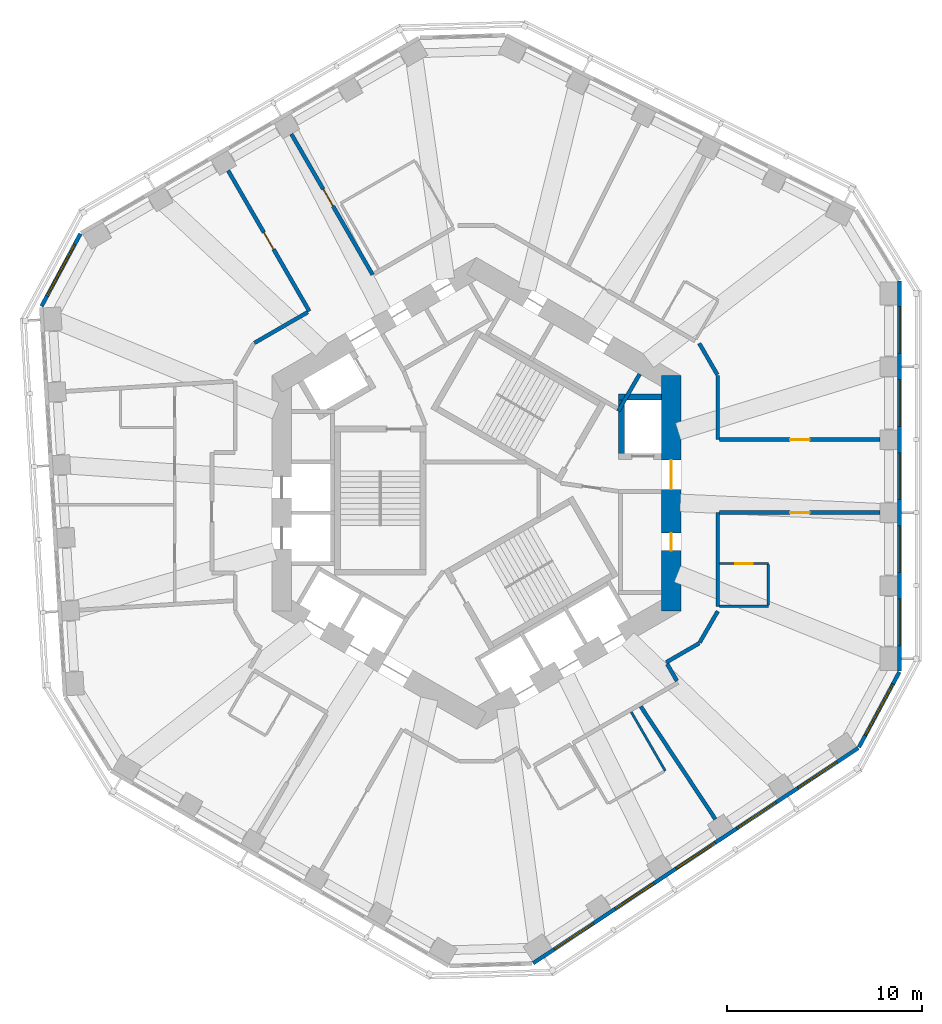
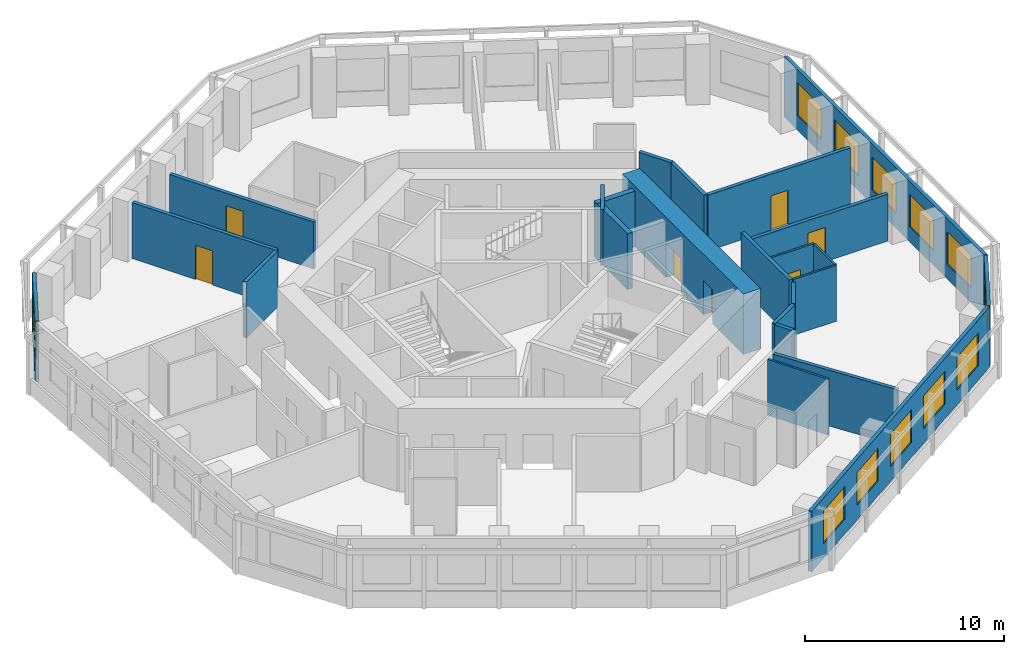
# One storey, part 6 of 11: 24 walls, 12 windows, 7 doors, 19 openings.
"""IFC4 building model written with IfcOpenShell, lengths in metres."""

from ifc_helpers import new_model, si_unit, direction, frame, frame_2d, origin, place, context, subcontext, project, spatial, rectangle, extrude, material, layer, layer_set, type_object, element, fill, save


model = new_model("IFC4")

# Units and contexts
model_context = context("Model", 3, precision=1e-05, world=origin(), true_north=direction((0.0, 1.0)))
body_context = subcontext(model_context, "Body", "Model", "MODEL_VIEW")
ifc_project = project(units=[si_unit("LENGTHUNIT", "METRE"), si_unit("AREAUNIT", "SQUARE_METRE"), si_unit("VOLUMEUNIT", "CUBIC_METRE"), si_unit("PLANEANGLEUNIT", "RADIAN"), si_unit("MASSUNIT", "GRAM", prefix="KILO")], contexts=[model_context])

# Site, building, storey
site_placement = place(None, origin())
site = spatial("IfcSite", under=ifc_project, at=site_placement, CompositionType="ELEMENT")
building_placement = place(site_placement, origin())
building = spatial("IfcBuilding", under=site, at=building_placement, Name="Vanh Sen Convention Tower", CompositionType="ELEMENT")
storey_placement = place(building_placement, frame((0.0, 0.0, 154.0)))
storey = spatial("IfcBuildingStorey", under=building, at=storey_placement, Name="L37", CompositionType="ELEMENT", Elevation=154.0)

# Wall
ifc_material_1 = material(Name="Moisture-resistant gypsum board on steel studs", Category="steel")
ifc_layer_1 = layer(ifc_material_1, 0.1201171875)
ifc_layer_set_1 = layer_set([ifc_layer_1], Name="Moisture-resistant gypsum board on steel studs")
wall_type_1 = type_object("IfcWallType", Name="Bathroom partition 120", PredefinedType="PARTITIONING", material=ifc_layer_set_1)
wall_1_placement = place(storey_placement, frame((7.949462890625, -11.23095703125, 0.0), z_axis=(0.0, 0.0, 1.0), x_axis=(0.500010275428, -0.866019471182, 0.0)))
element("IfcWall", 1, at=wall_1_placement, inside=storey, type_object=wall_type_1, Name="Bathroom partition 120", PredefinedType="PARTITIONING", context=body_context, shape_type="SweptSolid", body=[
    extrude(rectangle(XDim=3.5, YDim=0.1201171875, at=frame_2d((1.75, 0.0))), origin(), (0.0, 0.0, 1.0), 3.419921875),
])

# Wall, opening, door
wall_2_placement = place(storey_placement, frame((12.5, -3.6123046875, 0.0), z_axis=(0.0, 0.0, 1.0), x_axis=(1.0, 0.0, 0.0)))
wall_2 = element("IfcWall", 2, at=wall_2_placement, inside=storey, type_object=wall_type_1, Name="Bathroom partition 120", PredefinedType="PARTITIONING", context=body_context, shape_type="SweptSolid", body=[
    extrude(rectangle(XDim=2.5, YDim=0.1201171875, at=frame_2d((1.25, 0.0))), origin(), (0.0, 0.0, 1.0), 3.419921875),
])
opening_1_placement = place(wall_2_placement, frame((0.800048828125, 0.0, 0.0)))
opening_1 = element("IfcOpeningElement", 3, at=opening_1_placement, cuts=wall_2, Name="Opening D35117", PredefinedType="OPENING", context=body_context, shape_type="SweptSolid", body=[
    extrude(rectangle(XDim=0.89990234375, YDim=2.10009765625, at=frame_2d((0.449951171875, 1.050048828125))), frame((0.0, 0.070068359375, 0.0), z_axis=(0.0, -1.0, 0.0), x_axis=(1.0, 0.0, 0.0)), (0.0, 0.0, 1.0), 0.14013671875),
])
ifc_material_2 = material(Name="Laminate door in steel frame", Category="steel")
door_type_1 = type_object("IfcDoorType", Name="Room internal door 900", OperationType="SINGLE_SWING_LEFT", PredefinedType="DOOR", material=ifc_material_2)
door_1_placement = place(opening_1_placement, origin())
door_1 = element("IfcDoor", 4, at=door_1_placement, inside=storey, type_object=door_type_1, Name="Internal room door D35117", OperationType="SINGLE_SWING_LEFT", OverallHeight=2.10009765625, OverallWidth=0.89990234375, PredefinedType="DOOR", context=body_context, shape_type="SweptSolid", body=[
    extrude(rectangle(XDim=0.89990234375, YDim=2.10009765625, at=frame_2d((0.449951171875, 1.050048828125))), frame((0.0, 0.02490234375, 0.0), z_axis=(0.0, -1.0, 0.0), x_axis=(1.0, 0.0, 0.0)), (0.0, 0.0, 1.0), 0.050048828125),
])
fill(opening_1, door_1)

# Walls
wall_3_placement = place(storey_placement, frame((15.0, -5.812255859375, 0.0), z_axis=(0.0, 0.0, 1.0), x_axis=(-1.0, 0.0, 0.0)))
element("IfcWall", 5, at=wall_3_placement, inside=storey, type_object=wall_type_1, Name="Bathroom partition 120", PredefinedType="PARTITIONING", context=body_context, shape_type="SweptSolid", body=[
    extrude(rectangle(XDim=2.5, YDim=0.1201171875, at=frame_2d((1.25, 0.0))), origin(), (0.0, 0.0, 1.0), 3.419921875),
])
wall_4_placement = place(storey_placement, frame((15.0, -3.672119140625, 0.0), z_axis=(0.0, 0.0, 1.0), x_axis=(0.0, -1.0, 0.0)))
element("IfcWall", 6, at=wall_4_placement, inside=storey, type_object=wall_type_1, Name="Bathroom partition 120", PredefinedType="PARTITIONING", context=body_context, shape_type="SweptSolid", body=[
    extrude(rectangle(XDim=2.080078125, YDim=0.1201171875, at=frame_2d((1.0400390625, 0.0))), origin(), (0.0, 0.0, 1.0), 3.419921875),
])

# Wall, openings, doors
ifc_material_3 = material(Name="Concrete C80/95", Category="concrete")
ifc_layer_2 = layer(ifc_material_3, 1.0)
ifc_layer_set_2 = layer_set([ifc_layer_2], Name="Concrete C80/95")
wall_type_2 = type_object("IfcWallType", Name="Core outer wall 1000 C80/95", PredefinedType="SHEAR", material=ifc_layer_set_2)
wall_5_placement = place(storey_placement, frame((10.0, -6.062255859375, 0.0), z_axis=(0.0, 0.0, 1.0), x_axis=(0.0, 1.0, 0.0)))
wall_5 = element("IfcWall", 7, at=wall_5_placement, inside=storey, type_object=wall_type_2, Name="Core wall face E L37", PredefinedType="SHEAR", context=body_context, shape_type="SweptSolid", body=[
    extrude(rectangle(XDim=12.12451171875, YDim=1.0, at=frame_2d((6.062255859375, 0.0))), origin(), (0.0, 0.0, 1.0), 3.699951171875),
])
opening_2_placement = place(wall_5_placement, frame((6.26220703125, 0.0, 0.0)))
opening_2 = element("IfcOpeningElement", 8, at=opening_2_placement, cuts=wall_5, Name="Opening D35001", PredefinedType="OPENING", context=body_context, shape_type="SweptSolid", body=[
    extrude(rectangle(XDim=1.5, YDim=2.10009765625, at=frame_2d((0.75, 1.050048828125))), frame((0.0, 0.510009765625, 0.0), z_axis=(0.0, -1.0, 0.0), x_axis=(1.0, 0.0, 0.0)), (0.0, 0.0, 1.0), 1.02001953125),
])
opening_3_placement = place(wall_5_placement, frame((3.1123046875, 0.0, 0.0)))
opening_3 = element("IfcOpeningElement", 9, at=opening_3_placement, cuts=wall_5, Name="Opening D35010", PredefinedType="OPENING", context=body_context, shape_type="SweptSolid", body=[
    extrude(rectangle(XDim=0.89990234375, YDim=2.10009765625, at=frame_2d((0.449951171875, 1.050048828125))), frame((0.0, 0.510009765625, 0.0), z_axis=(0.0, -1.0, 0.0), x_axis=(1.0, 0.0, 0.0)), (0.0, 0.0, 1.0), 1.02001953125),
])
ifc_material_4 = material(Name="Steel S355", Category="steel")
door_type_2 = type_object("IfcDoorType", Name="Plant door 900", OperationType="SINGLE_SWING_LEFT", PredefinedType="DOOR", material=ifc_material_4)
door_2_placement = place(opening_3_placement, origin())
door_2 = element("IfcDoor", 10, at=door_2_placement, inside=storey, type_object=door_type_2, Name="Plant door D35010", OperationType="SINGLE_SWING_LEFT", OverallHeight=2.10009765625, OverallWidth=0.89990234375, PredefinedType="DOOR", context=body_context, shape_type="SweptSolid", body=[
    extrude(rectangle(XDim=0.89990234375, YDim=2.10009765625, at=frame_2d((0.449951171875, 1.050048828125))), frame((0.0, 0.02490234375, 0.0), z_axis=(0.0, -1.0, 0.0), x_axis=(1.0, 0.0, 0.0)), (0.0, 0.0, 1.0), 0.050048828125),
])
fill(opening_3, door_2)
door_type_3 = type_object("IfcDoorType", Name="Stair lobby door 1500", OperationType="DOUBLE_DOOR_SINGLE_SWING", PredefinedType="DOOR", material=ifc_material_4)
door_3_placement = place(opening_2_placement, origin())
door_3 = element("IfcDoor", 11, at=door_3_placement, inside=storey, type_object=door_type_3, Name="Stair lobby door D35001", OperationType="DOUBLE_DOOR_SINGLE_SWING", OverallHeight=2.10009765625, OverallWidth=1.5, PredefinedType="DOOR", context=body_context, shape_type="SweptSolid", body=[
    extrude(rectangle(XDim=1.5, YDim=2.10009765625, at=frame_2d((0.75, 1.050048828125))), frame((0.0, 0.02490234375, 0.0), z_axis=(0.0, -1.0, 0.0), x_axis=(1.0, 0.0, 0.0)), (0.0, 0.0, 1.0), 0.050048828125),
])
fill(opening_2, door_3)

# Wall, opening, door
ifc_material_5 = material(Name="Gypsum board on steel studs with mineral wool", Category="steel")
ifc_layer_3 = layer(ifc_material_5, 0.199951171875)
ifc_layer_set_3 = layer_set([ifc_layer_3], Name="Gypsum board on steel studs with mineral wool")
wall_type_3 = type_object("IfcWallType", Name="Corridor partition wall 200", PredefinedType="PARTITIONING", material=ifc_layer_set_3)
wall_6_placement = place(storey_placement, frame((-12.766357421875, 16.58935546875, 0.0), z_axis=(0.0, 0.0, 1.0), x_axis=(0.500010139422, -0.866019549707, 0.0)))
wall_6 = element("IfcWall", 12, at=wall_6_placement, inside=storey, type_object=wall_type_3, Name="Corridor partition wall 200", PredefinedType="PARTITIONING", context=body_context, shape_type="SweptSolid", body=[
    extrude(rectangle(XDim=8.349853515625, YDim=0.199951171875, at=frame_2d((4.1748046875, 0.0))), origin(), (0.0, 0.0, 1.0), 3.419921875),
])
opening_4_placement = place(wall_6_placement, frame((3.675048828125, 0.0, 0.0)))
opening_4 = element("IfcOpeningElement", 13, at=opening_4_placement, cuts=wall_6, Name="Opening D35106", PredefinedType="OPENING", context=body_context, shape_type="SweptSolid", body=[
    extrude(rectangle(XDim=1.0, YDim=2.10009765625, at=frame_2d((0.5, 1.050048828125))), frame((0.0, 0.10986328125, 0.0), z_axis=(0.0, -1.0, 0.0), x_axis=(1.0, 0.0, 0.0)), (0.0, 0.0, 1.0), 0.219970703125),
])
ifc_material_6 = material(Name="Glazed fire door in steel frame", Category="steel")
door_type_4 = type_object("IfcDoorType", Name="Tenant entrance door 1000", OperationType="SINGLE_SWING_LEFT", PredefinedType="DOOR", material=ifc_material_6)
door_4_placement = place(opening_4_placement, origin())
door_4 = element("IfcDoor", 14, at=door_4_placement, inside=storey, type_object=door_type_4, Name="Tenant suite entrance door D35106", OperationType="SINGLE_SWING_LEFT", OverallHeight=2.10009765625, OverallWidth=1.0, PredefinedType="DOOR", context=body_context, shape_type="SweptSolid", body=[
    extrude(rectangle(XDim=1.0, YDim=2.10009765625, at=frame_2d((0.5, 1.050048828125))), frame((0.0, 0.02490234375, 0.0), z_axis=(0.0, -1.0, 0.0), x_axis=(1.0, 0.0, 0.0)), (0.0, 0.0, 1.0), 0.050048828125),
])
fill(opening_4, door_4)

wall_7_placement = place(storey_placement, frame((-9.51513671875, 18.46630859375, 0.0), z_axis=(0.0, 0.0, 1.0), x_axis=(0.500010139422, -0.866019549707, 0.0)))
wall_7 = element("IfcWall", 15, at=wall_7_placement, inside=storey, type_object=wall_type_3, Name="Corridor partition wall 200", PredefinedType="PARTITIONING", context=body_context, shape_type="SweptSolid", body=[
    extrude(rectangle(XDim=8.349853515625, YDim=0.199951171875, at=frame_2d((4.1748046875, 0.0))), origin(), (0.0, 0.0, 1.0), 2.8701171875),
])
opening_5_placement = place(wall_7_placement, frame((3.27490234375, 0.0, 0.0)))
opening_5 = element("IfcOpeningElement", 16, at=opening_5_placement, cuts=wall_7, Name="Opening D35104", PredefinedType="OPENING", context=body_context, shape_type="SweptSolid", body=[
    extrude(rectangle(XDim=1.0, YDim=2.10009765625, at=frame_2d((0.5, 1.050048828125))), frame((0.0, 0.10986328125, 0.0), z_axis=(0.0, -1.0, 0.0), x_axis=(1.0, 0.0, 0.0)), (0.0, 0.0, 1.0), 0.219970703125),
])
door_5_placement = place(opening_5_placement, origin())
door_5 = element("IfcDoor", 17, at=door_5_placement, inside=storey, type_object=door_type_4, Name="Tenant suite entrance door D35104", OperationType="SINGLE_SWING_LEFT", OverallHeight=2.10009765625, OverallWidth=1.0, PredefinedType="DOOR", context=body_context, shape_type="SweptSolid", body=[
    extrude(rectangle(XDim=1.0, YDim=2.10009765625, at=frame_2d((0.5, 1.050048828125))), frame((0.0, 0.02490234375, 0.0), z_axis=(0.0, -1.0, 0.0), x_axis=(1.0, 0.0, 0.0)), (0.0, 0.0, 1.0), 0.050048828125),
])
fill(opening_5, door_5)

# Walls
wall_8_placement = place(storey_placement, frame((-8.677978515625, 9.30810546875, 0.0), z_axis=(0.0, 0.0, 1.0), x_axis=(-0.866000359435, -0.500043375578, 0.0)))
element("IfcWall", 18, at=wall_8_placement, inside=storey, type_object=wall_type_3, Name="Corridor partition wall 200", PredefinedType="PARTITIONING", context=body_context, shape_type="SweptSolid", body=[
    extrude(rectangle(XDim=3.160888671875, YDim=0.199951171875, at=frame_2d((1.58056640625, 0.0))), origin(), (0.0, 0.0, 1.0), 3.419921875),
])
wall_9_placement = place(storey_placement, frame((9.751708984375, -8.688232421875, 0.0), z_axis=(0.0, 0.0, 1.0), x_axis=(0.865974105138, 0.500088841337, 0.0)))
element("IfcWall", 19, at=wall_9_placement, inside=storey, type_object=wall_type_3, Name="Corridor partition wall 200", PredefinedType="PARTITIONING", context=body_context, shape_type="SweptSolid", body=[
    extrude(rectangle(XDim=1.961181640625, YDim=0.199951171875, at=frame_2d((0.98046875, 0.0))), origin(), (0.0, 0.0, 1.0), 3.419921875),
])
wall_10_placement = place(storey_placement, frame((10.302001953125, -9.6416015625, 0.0), z_axis=(0.0, 0.0, 1.0), x_axis=(-0.500074377092, 0.865982457891, 0.0)))
element("IfcWall", 20, at=wall_10_placement, inside=storey, type_object=wall_type_3, Name="Corridor partition wall 200", PredefinedType="PARTITIONING", context=body_context, shape_type="SweptSolid", body=[
    extrude(rectangle(XDim=1.000732421875, YDim=0.199951171875, at=frame_2d((0.50048828125, 0.0))), origin(), (0.0, 0.0, 1.0), 3.419921875),
])
for number, where, z_axis, x_axis, name in (
    (21, (11.469970703125, -7.673095703125, 0.0), (0.0, 0.0, 1.0), (0.499964847546, 0.866045698112, 0.0), "Corridor partition wall 200"),
    (22, (12.3798828125, 6.0966796875, 0.0), (0.0, 0.0, 1.0), (-0.499964847546, 0.866045698112, 0.0), "Corridor partition wall 200"),
):
    element("IfcWall", number, at=place(storey_placement, frame(where, z_axis=z_axis, x_axis=x_axis)), inside=storey, type_object=wall_type_3, Name=name, PredefinedType="PARTITIONING", context=body_context, shape_type="SweptSolid", body=[
        extrude(rectangle(XDim=1.860107421875, YDim=0.199951171875, at=frame_2d((0.93017578125, 0.0))), origin(), (0.0, 0.0, 1.0), 3.419921875),
    ])
wall_11_placement = place(storey_placement, frame((12.39990234375, -5.812255859375, 0.0), z_axis=(0.0, 0.0, 1.0), x_axis=(0.0, 1.0, 0.0)))
element("IfcWall", 23, at=wall_11_placement, inside=storey, type_object=wall_type_3, Name="Corridor partition wall 200", PredefinedType="PARTITIONING", context=body_context, shape_type="SweptSolid", body=[
    extrude(rectangle(XDim=4.8193359375, YDim=0.199951171875, at=frame_2d((2.40966796875, 0.0))), origin(), (0.0, 0.0, 1.0), 3.419921875),
])
wall_12_placement = place(storey_placement, frame((12.39990234375, 2.76123046875, 0.0), z_axis=(0.0, 0.0, 1.0), x_axis=(0.0, 1.0, 0.0)))
element("IfcWall", 24, at=wall_12_placement, inside=storey, type_object=wall_type_3, Name="Corridor partition wall 200", PredefinedType="PARTITIONING", context=body_context, shape_type="SweptSolid", body=[
    extrude(rectangle(XDim=3.301025390625, YDim=0.199951171875, at=frame_2d((1.650390625, 0.0))), origin(), (0.0, 0.0, 1.0), 3.419921875),
])

# Wall, opening, door
wall_13_placement = place(storey_placement, frame((12.5, -0.992919921875, 0.0), z_axis=(0.0, 0.0, 1.0), x_axis=(1.0, 0.0, 0.0)))
wall_13 = element("IfcWall", 25, at=wall_13_placement, inside=storey, type_object=wall_type_3, Name="Corridor partition wall 200", PredefinedType="PARTITIONING", context=body_context, shape_type="SweptSolid", body=[
    extrude(rectangle(XDim=8.25, YDim=0.199951171875, at=frame_2d((4.125, 0.0))), origin(), (0.0, 0.0, 1.0), 2.8701171875),
])
opening_6_placement = place(wall_13_placement, frame((3.625, 0.0, 0.0)))
opening_6 = element("IfcOpeningElement", 26, at=opening_6_placement, cuts=wall_13, Name="Opening D35116", PredefinedType="OPENING", context=body_context, shape_type="SweptSolid", body=[
    extrude(rectangle(XDim=1.0, YDim=2.10009765625, at=frame_2d((0.5, 1.050048828125))), frame((0.0, 0.10986328125, 0.0), z_axis=(0.0, -1.0, 0.0), x_axis=(1.0, 0.0, 0.0)), (0.0, 0.0, 1.0), 0.219970703125),
])
door_6_placement = place(opening_6_placement, origin())
door_6 = element("IfcDoor", 27, at=door_6_placement, inside=storey, type_object=door_type_4, Name="Tenant suite entrance door D35116", OperationType="SINGLE_SWING_LEFT", OverallHeight=2.10009765625, OverallWidth=1.0, PredefinedType="DOOR", context=body_context, shape_type="SweptSolid", body=[
    extrude(rectangle(XDim=1.0, YDim=2.10009765625, at=frame_2d((0.5, 1.050048828125))), frame((0.0, 0.02490234375, 0.0), z_axis=(0.0, -1.0, 0.0), x_axis=(1.0, 0.0, 0.0)), (0.0, 0.0, 1.0), 0.050048828125),
])
fill(opening_6, door_6)

wall_14_placement = place(storey_placement, frame((20.75, 2.76123046875, 0.0), z_axis=(0.0, 0.0, 1.0), x_axis=(-1.0, 0.0, 0.0)))
wall_14 = element("IfcWall", 28, at=wall_14_placement, inside=storey, type_object=wall_type_3, Name="Corridor partition wall 200", PredefinedType="PARTITIONING", context=body_context, shape_type="SweptSolid", body=[
    extrude(rectangle(XDim=8.25, YDim=0.199951171875, at=frame_2d((4.125, 0.0))), origin(), (0.0, 0.0, 1.0), 3.419921875),
])
opening_7_placement = place(wall_14_placement, frame((3.625, 0.0, 0.0)))
opening_7 = element("IfcOpeningElement", 29, at=opening_7_placement, cuts=wall_14, Name="Opening D35101", PredefinedType="OPENING", context=body_context, shape_type="SweptSolid", body=[
    extrude(rectangle(XDim=1.0, YDim=2.10009765625, at=frame_2d((0.5, 1.050048828125))), frame((0.0, 0.10986328125, 0.0), z_axis=(0.0, -1.0, 0.0), x_axis=(1.0, 0.0, 0.0)), (0.0, 0.0, 1.0), 0.219970703125),
])
door_7_placement = place(opening_7_placement, origin())
door_7 = element("IfcDoor", 30, at=door_7_placement, inside=storey, type_object=door_type_4, Name="Tenant suite entrance door D35101", OperationType="SINGLE_SWING_LEFT", OverallHeight=2.10009765625, OverallWidth=1.0, PredefinedType="DOOR", context=body_context, shape_type="SweptSolid", body=[
    extrude(rectangle(XDim=1.0, YDim=2.10009765625, at=frame_2d((0.5, 1.050048828125))), frame((0.0, 0.02490234375, 0.0), z_axis=(0.0, -1.0, 0.0), x_axis=(1.0, 0.0, 0.0)), (0.0, 0.0, 1.0), 0.050048828125),
])
fill(opening_7, door_7)

# Wall, openings, windows
ifc_material_7 = material(Name="Insulated lightweight infill wall")
ifc_layer_4 = layer(ifc_material_7, 0.199951171875)
ifc_layer_set_4 = layer_set([ifc_layer_4], Name="Insulated lightweight infill wall")
wall_type_4 = type_object("IfcWallType", Name="External wall 200", PredefinedType="STANDARD", material=ifc_layer_set_4)
wall_15_placement = place(storey_placement, frame((21.75, -9.138427734375, 0.0), z_axis=(0.0, 0.0, 1.0), x_axis=(0.0, 1.0, 0.0)))
wall_15 = element("IfcWall", 31, at=wall_15_placement, inside=storey, type_object=wall_type_4, Name="External wall E L37", PredefinedType="STANDARD", context=body_context, shape_type="SweptSolid", body=[
    extrude(rectangle(XDim=20.043701171875, YDim=0.199951171875, at=frame_2d((10.02197265625, 0.0))), origin(), (0.0, 0.0, 1.0), 3.699951171875),
])
opening_8_placement = place(wall_15_placement, frame((1.314453125, 0.0, 0.89990234375)))
opening_8 = element("IfcOpeningElement", 32, at=opening_8_placement, cuts=wall_15, Name="Opening WO1-E1", PredefinedType="OPENING", context=body_context, shape_type="SweptSolid", body=[
    extrude(rectangle(XDim=2.39990234375, YDim=2.0, at=frame_2d((1.199951171875, 1.0))), frame((0.0, 0.10986328125, 0.0), z_axis=(0.0, -1.0, 0.0), x_axis=(1.0, 0.0, 0.0)), (0.0, 0.0, 1.0), 0.219970703125),
])
opening_9_placement = place(wall_15_placement, frame((5.068603515625, 0.0, 0.89990234375)))
opening_9 = element("IfcOpeningElement", 33, at=opening_9_placement, cuts=wall_15, Name="Opening WO1-E2", PredefinedType="OPENING", context=body_context, shape_type="SweptSolid", body=[
    extrude(rectangle(XDim=2.39990234375, YDim=2.0, at=frame_2d((1.199951171875, 1.0))), frame((0.0, 0.10986328125, 0.0), z_axis=(0.0, -1.0, 0.0), x_axis=(1.0, 0.0, 0.0)), (0.0, 0.0, 1.0), 0.219970703125),
])
opening_10_placement = place(wall_15_placement, frame((8.82275390625, 0.0, 0.89990234375)))
opening_10 = element("IfcOpeningElement", 34, at=opening_10_placement, cuts=wall_15, Name="Opening WO1-E3", PredefinedType="OPENING", context=body_context, shape_type="SweptSolid", body=[
    extrude(rectangle(XDim=2.39990234375, YDim=2.0, at=frame_2d((1.199951171875, 1.0))), frame((0.0, 0.10986328125, 0.0), z_axis=(0.0, -1.0, 0.0), x_axis=(1.0, 0.0, 0.0)), (0.0, 0.0, 1.0), 0.219970703125),
])
opening_11_placement = place(wall_15_placement, frame((12.576904296875, 0.0, 0.89990234375)))
opening_11 = element("IfcOpeningElement", 35, at=opening_11_placement, cuts=wall_15, Name="Opening WO1-E4", PredefinedType="OPENING", context=body_context, shape_type="SweptSolid", body=[
    extrude(rectangle(XDim=2.39990234375, YDim=2.0, at=frame_2d((1.199951171875, 1.0))), frame((0.0, 0.10986328125, 0.0), z_axis=(0.0, -1.0, 0.0), x_axis=(1.0, 0.0, 0.0)), (0.0, 0.0, 1.0), 0.219970703125),
])
opening_12_placement = place(wall_15_placement, frame((16.330810546875, 0.0, 0.89990234375)))
opening_12 = element("IfcOpeningElement", 36, at=opening_12_placement, cuts=wall_15, Name="Opening WO1-E5", PredefinedType="OPENING", context=body_context, shape_type="SweptSolid", body=[
    extrude(rectangle(XDim=2.39990234375, YDim=2.0, at=frame_2d((1.199951171875, 1.0))), frame((0.0, 0.10986328125, 0.0), z_axis=(0.0, -1.0, 0.0), x_axis=(1.0, 0.0, 0.0)), (0.0, 0.0, 1.0), 0.219970703125),
])
ifc_material_8 = material(Name="Aluminium frame with clear low-emissivity glass", Category="aluminium")
window_type_1 = type_object("IfcWindowType", Name="Office window 2400 x 2000", PartitioningType="SINGLE_PANEL", PredefinedType="WINDOW", material=ifc_material_8)
window_1_placement = place(opening_8_placement, origin())
window_1 = element("IfcWindow", 37, at=window_1_placement, inside=storey, type_object=window_type_1, Name="Window WO1-E1", OverallHeight=2.0, OverallWidth=2.39990234375, PartitioningType="SINGLE_PANEL", PredefinedType="WINDOW", context=body_context, shape_type="SweptSolid", body=[
    extrude(rectangle(XDim=2.39990234375, YDim=2.0, at=frame_2d((1.199951171875, 1.0))), frame((0.0, 0.030029296875, 0.0), z_axis=(0.0, -1.0, 0.0), x_axis=(1.0, 0.0, 0.0)), (0.0, 0.0, 1.0), 0.06005859375),
])
fill(opening_8, window_1)
window_2_placement = place(opening_9_placement, origin())
window_2 = element("IfcWindow", 38, at=window_2_placement, inside=storey, type_object=window_type_1, Name="Window WO1-E2", OverallHeight=2.0, OverallWidth=2.39990234375, PartitioningType="SINGLE_PANEL", PredefinedType="WINDOW", context=body_context, shape_type="SweptSolid", body=[
    extrude(rectangle(XDim=2.39990234375, YDim=2.0, at=frame_2d((1.199951171875, 1.0))), frame((0.0, 0.030029296875, 0.0), z_axis=(0.0, -1.0, 0.0), x_axis=(1.0, 0.0, 0.0)), (0.0, 0.0, 1.0), 0.06005859375),
])
fill(opening_9, window_2)
window_3_placement = place(opening_10_placement, origin())
window_3 = element("IfcWindow", 39, at=window_3_placement, inside=storey, type_object=window_type_1, Name="Window WO1-E3", OverallHeight=2.0, OverallWidth=2.39990234375, PartitioningType="SINGLE_PANEL", PredefinedType="WINDOW", context=body_context, shape_type="SweptSolid", body=[
    extrude(rectangle(XDim=2.39990234375, YDim=2.0, at=frame_2d((1.199951171875, 1.0))), frame((0.0, 0.030029296875, 0.0), z_axis=(0.0, -1.0, 0.0), x_axis=(1.0, 0.0, 0.0)), (0.0, 0.0, 1.0), 0.06005859375),
])
fill(opening_10, window_3)
window_4_placement = place(opening_11_placement, origin())
window_4 = element("IfcWindow", 40, at=window_4_placement, inside=storey, type_object=window_type_1, Name="Window WO1-E4", OverallHeight=2.0, OverallWidth=2.39990234375, PartitioningType="SINGLE_PANEL", PredefinedType="WINDOW", context=body_context, shape_type="SweptSolid", body=[
    extrude(rectangle(XDim=2.39990234375, YDim=2.0, at=frame_2d((1.199951171875, 1.0))), frame((0.0, 0.030029296875, 0.0), z_axis=(0.0, -1.0, 0.0), x_axis=(1.0, 0.0, 0.0)), (0.0, 0.0, 1.0), 0.06005859375),
])
fill(opening_11, window_4)
window_5_placement = place(opening_12_placement, origin())
window_5 = element("IfcWindow", 41, at=window_5_placement, inside=storey, type_object=window_type_1, Name="Window WO1-E5", OverallHeight=2.0, OverallWidth=2.39990234375, PartitioningType="SINGLE_PANEL", PredefinedType="WINDOW", context=body_context, shape_type="SweptSolid", body=[
    extrude(rectangle(XDim=2.39990234375, YDim=2.0, at=frame_2d((1.199951171875, 1.0))), frame((0.0, 0.030029296875, 0.0), z_axis=(0.0, -1.0, 0.0), x_axis=(1.0, 0.0, 0.0)), (0.0, 0.0, 1.0), 0.06005859375),
])
fill(opening_12, window_5)

# Wall, opening, window
wall_16_placement = place(storey_placement, frame((-20.357421875, 13.343994140625, 0.0), z_axis=(0.0, 0.0, 1.0), x_axis=(-0.473288913494, -0.880907262068, 0.0)))
wall_16 = element("IfcWall", 42, at=wall_16_placement, inside=storey, type_object=wall_type_4, Name="External wall CH3 L37", PredefinedType="STANDARD", context=body_context, shape_type="SweptSolid", body=[
    extrude(rectangle(XDim=4.238037109375, YDim=0.199951171875, at=frame_2d((2.119140625, 0.0))), origin(), (0.0, 0.0, 1.0), 3.699951171875),
])
opening_13_placement = place(wall_16_placement, frame((0.619140625, 0.0, 0.89990234375)))
opening_13 = element("IfcOpeningElement", 43, at=opening_13_placement, cuts=wall_16, Name="Opening WO2-CH31", PredefinedType="OPENING", context=body_context, shape_type="SweptSolid", body=[
    extrude(rectangle(XDim=3.0, YDim=2.0, at=frame_2d((1.5, 1.0))), frame((0.0, 0.10986328125, 0.0), z_axis=(0.0, -1.0, 0.0), x_axis=(1.0, 0.0, 0.0)), (0.0, 0.0, 1.0), 0.219970703125),
])
window_type_2 = type_object("IfcWindowType", Name="Office window 3000 x 2000", PartitioningType="SINGLE_PANEL", PredefinedType="WINDOW", material=ifc_material_8)
window_6_placement = place(opening_13_placement, origin())
window_6 = element("IfcWindow", 44, at=window_6_placement, inside=storey, type_object=window_type_2, Name="Window WO2-CH31", OverallHeight=2.0, OverallWidth=3.0, PartitioningType="SINGLE_PANEL", PredefinedType="WINDOW", context=body_context, shape_type="SweptSolid", body=[
    extrude(rectangle(XDim=3.0, YDim=2.0, at=frame_2d((1.5, 1.0))), frame((0.0, 0.030029296875, 0.0), z_axis=(0.0, -1.0, 0.0), x_axis=(1.0, 0.0, 0.0)), (0.0, 0.0, 1.0), 0.06005859375),
])
fill(opening_13, window_6)

# Wall, openings, windows
wall_17_placement = place(storey_placement, frame((2.910888671875, -24.156005859375, 0.0), z_axis=(0.0, 0.0, 1.0), x_axis=(0.833882163564, 0.551942512668, 0.0)))
wall_17 = element("IfcWall", 45, at=wall_17_placement, inside=storey, type_object=wall_type_4, Name="External wall SE L37", PredefinedType="STANDARD", context=body_context, shape_type="SweptSolid", body=[
    extrude(rectangle(XDim=20.043701171875, YDim=0.199951171875, at=frame_2d((10.02197265625, 0.0))), origin(), (0.0, 0.0, 1.0), 3.699951171875),
])
opening_14_placement = place(wall_17_placement, frame((1.312744140625, 0.0, 0.89990234375)))
opening_14 = element("IfcOpeningElement", 46, at=opening_14_placement, cuts=wall_17, Name="Opening WO1-SE1", PredefinedType="OPENING", context=body_context, shape_type="SweptSolid", body=[
    extrude(rectangle(XDim=2.39990234375, YDim=2.0, at=frame_2d((1.199951171875, 1.0))), frame((0.0, 0.10986328125, 0.0), z_axis=(0.0, -1.0, 0.0), x_axis=(1.0, 0.0, 0.0)), (0.0, 0.0, 1.0), 0.219970703125),
])
opening_15_placement = place(wall_17_placement, frame((5.06689453125, 0.0, 0.89990234375)))
opening_15 = element("IfcOpeningElement", 47, at=opening_15_placement, cuts=wall_17, Name="Opening WO1-SE2", PredefinedType="OPENING", context=body_context, shape_type="SweptSolid", body=[
    extrude(rectangle(XDim=2.39990234375, YDim=2.0, at=frame_2d((1.199951171875, 1.0))), frame((0.0, 0.10986328125, 0.0), z_axis=(0.0, -1.0, 0.0), x_axis=(1.0, 0.0, 0.0)), (0.0, 0.0, 1.0), 0.219970703125),
])
opening_16_placement = place(wall_17_placement, frame((8.82080078125, 0.0, 0.89990234375)))
opening_16 = element("IfcOpeningElement", 48, at=opening_16_placement, cuts=wall_17, Name="Opening WO1-SE3", PredefinedType="OPENING", context=body_context, shape_type="SweptSolid", body=[
    extrude(rectangle(XDim=2.39990234375, YDim=2.0, at=frame_2d((1.199951171875, 1.0))), frame((0.0, 0.10986328125, 0.0), z_axis=(0.0, -1.0, 0.0), x_axis=(1.0, 0.0, 0.0)), (0.0, 0.0, 1.0), 0.219970703125),
])
opening_17_placement = place(wall_17_placement, frame((12.5751953125, 0.0, 0.89990234375)))
opening_17 = element("IfcOpeningElement", 49, at=opening_17_placement, cuts=wall_17, Name="Opening WO1-SE4", PredefinedType="OPENING", context=body_context, shape_type="SweptSolid", body=[
    extrude(rectangle(XDim=2.39990234375, YDim=2.0, at=frame_2d((1.199951171875, 1.0))), frame((0.0, 0.10986328125, 0.0), z_axis=(0.0, -1.0, 0.0), x_axis=(1.0, 0.0, 0.0)), (0.0, 0.0, 1.0), 0.219970703125),
])
opening_18_placement = place(wall_17_placement, frame((16.3291015625, 0.0, 0.89990234375)))
opening_18 = element("IfcOpeningElement", 50, at=opening_18_placement, cuts=wall_17, Name="Opening WO1-SE5", PredefinedType="OPENING", context=body_context, shape_type="SweptSolid", body=[
    extrude(rectangle(XDim=2.39990234375, YDim=2.0, at=frame_2d((1.199951171875, 1.0))), frame((0.0, 0.10986328125, 0.0), z_axis=(0.0, -1.0, 0.0), x_axis=(1.0, 0.0, 0.0)), (0.0, 0.0, 1.0), 0.219970703125),
])
window_7_placement = place(opening_14_placement, origin())
window_7 = element("IfcWindow", 51, at=window_7_placement, inside=storey, type_object=window_type_1, Name="Window WO1-SE1", OverallHeight=2.0, OverallWidth=2.39990234375, PartitioningType="SINGLE_PANEL", PredefinedType="WINDOW", context=body_context, shape_type="SweptSolid", body=[
    extrude(rectangle(XDim=2.39990234375, YDim=2.0, at=frame_2d((1.199951171875, 1.0))), frame((0.0, 0.030029296875, 0.0), z_axis=(0.0, -1.0, 0.0), x_axis=(1.0, 0.0, 0.0)), (0.0, 0.0, 1.0), 0.06005859375),
])
fill(opening_14, window_7)
window_8_placement = place(opening_15_placement, origin())
window_8 = element("IfcWindow", 52, at=window_8_placement, inside=storey, type_object=window_type_1, Name="Window WO1-SE2", OverallHeight=2.0, OverallWidth=2.39990234375, PartitioningType="SINGLE_PANEL", PredefinedType="WINDOW", context=body_context, shape_type="SweptSolid", body=[
    extrude(rectangle(XDim=2.39990234375, YDim=2.0, at=frame_2d((1.199951171875, 1.0))), frame((0.0, 0.030029296875, 0.0), z_axis=(0.0, -1.0, 0.0), x_axis=(1.0, 0.0, 0.0)), (0.0, 0.0, 1.0), 0.06005859375),
])
fill(opening_15, window_8)
window_9_placement = place(opening_16_placement, origin())
window_9 = element("IfcWindow", 53, at=window_9_placement, inside=storey, type_object=window_type_1, Name="Window WO1-SE3", OverallHeight=2.0, OverallWidth=2.39990234375, PartitioningType="SINGLE_PANEL", PredefinedType="WINDOW", context=body_context, shape_type="SweptSolid", body=[
    extrude(rectangle(XDim=2.39990234375, YDim=2.0, at=frame_2d((1.199951171875, 1.0))), frame((0.0, 0.030029296875, 0.0), z_axis=(0.0, -1.0, 0.0), x_axis=(1.0, 0.0, 0.0)), (0.0, 0.0, 1.0), 0.06005859375),
])
fill(opening_16, window_9)
window_10_placement = place(opening_17_placement, origin())
window_10 = element("IfcWindow", 54, at=window_10_placement, inside=storey, type_object=window_type_1, Name="Window WO1-SE4", OverallHeight=2.0, OverallWidth=2.39990234375, PartitioningType="SINGLE_PANEL", PredefinedType="WINDOW", context=body_context, shape_type="SweptSolid", body=[
    extrude(rectangle(XDim=2.39990234375, YDim=2.0, at=frame_2d((1.199951171875, 1.0))), frame((0.0, 0.030029296875, 0.0), z_axis=(0.0, -1.0, 0.0), x_axis=(1.0, 0.0, 0.0)), (0.0, 0.0, 1.0), 0.06005859375),
])
fill(opening_17, window_10)
window_11_placement = place(opening_18_placement, origin())
window_11 = element("IfcWindow", 55, at=window_11_placement, inside=storey, type_object=window_type_1, Name="Window WO1-SE5", OverallHeight=2.0, OverallWidth=2.39990234375, PartitioningType="SINGLE_PANEL", PredefinedType="WINDOW", context=body_context, shape_type="SweptSolid", body=[
    extrude(rectangle(XDim=2.39990234375, YDim=2.0, at=frame_2d((1.199951171875, 1.0))), frame((0.0, 0.030029296875, 0.0), z_axis=(0.0, -1.0, 0.0), x_axis=(1.0, 0.0, 0.0)), (0.0, 0.0, 1.0), 0.06005859375),
])
fill(opening_18, window_11)

# Wall, opening, window
wall_18_placement = place(storey_placement, frame((19.657958984375, -13.05712890625, 0.0), z_axis=(0.0, 0.0, 1.0), x_axis=(0.473307879841, 0.880897071672, 0.0)))
wall_18 = element("IfcWall", 56, at=wall_18_placement, inside=storey, type_object=wall_type_4, Name="External wall CH6 L37", PredefinedType="STANDARD", context=body_context, shape_type="SweptSolid", body=[
    extrude(rectangle(XDim=4.394775390625, YDim=0.199951171875, at=frame_2d((2.197265625, 0.0))), origin(), (0.0, 0.0, 1.0), 3.699951171875),
])
opening_19_placement = place(wall_18_placement, frame((0.697509765625, 0.0, 0.89990234375)))
opening_19 = element("IfcOpeningElement", 57, at=opening_19_placement, cuts=wall_18, Name="Opening WO2-CH61", PredefinedType="OPENING", context=body_context, shape_type="SweptSolid", body=[
    extrude(rectangle(XDim=3.0, YDim=2.0, at=frame_2d((1.5, 1.0))), frame((0.0, 0.10986328125, 0.0), z_axis=(0.0, -1.0, 0.0), x_axis=(1.0, 0.0, 0.0)), (0.0, 0.0, 1.0), 0.219970703125),
])
window_12_placement = place(opening_19_placement, origin())
window_12 = element("IfcWindow", 58, at=window_12_placement, inside=storey, type_object=window_type_2, Name="Window WO2-CH61", OverallHeight=2.0, OverallWidth=3.0, PartitioningType="SINGLE_PANEL", PredefinedType="WINDOW", context=body_context, shape_type="SweptSolid", body=[
    extrude(rectangle(XDim=3.0, YDim=2.0, at=frame_2d((1.5, 1.0))), frame((0.0, 0.030029296875, 0.0), z_axis=(0.0, -1.0, 0.0), x_axis=(1.0, 0.0, 0.0)), (0.0, 0.0, 1.0), 0.06005859375),
])
fill(opening_19, window_12)

# Walls
ifc_material_9 = material(Name="Concrete C60/75", Category="concrete")
ifc_layer_5 = layer(ifc_material_9, 0.300048828125)
ifc_layer_set_5 = layer_set([ifc_layer_5], Name="Concrete C60/75")
wall_type_5 = type_object("IfcWallType", Name="Fire-fighting lift shaft wall 300", PredefinedType="SHEAR", material=ifc_layer_set_5)
wall_19_placement = place(storey_placement, frame((7.449951171875, 1.75, 0.0), z_axis=(0.0, 0.0, 1.0), x_axis=(0.0, 1.0, 0.0)))
element("IfcWall", 59, at=wall_19_placement, inside=storey, type_object=wall_type_5, Name="Fire-fighting lift shaft wall L37", PredefinedType="SHEAR", context=body_context, shape_type="SweptSolid", body=[
    extrude(rectangle(XDim=3.35009765625, YDim=0.300048828125, at=frame_2d((1.675048828125, 0.0))), origin(), (0.0, 0.0, 1.0), 3.419921875),
])
wall_20_placement = place(storey_placement, frame((7.300048828125, 4.949951171875, 0.0), z_axis=(0.0, 0.0, 1.0), x_axis=(1.0, 0.0, 0.0)))
element("IfcWall", 60, at=wall_20_placement, inside=storey, type_object=wall_type_5, Name="Fire-fighting lift shaft wall L37", PredefinedType="SHEAR", context=body_context, shape_type="SweptSolid", body=[
    extrude(rectangle(XDim=2.199951171875, YDim=0.300048828125, at=frame_2d((1.10009765625, 0.0))), origin(), (0.0, 0.0, 1.0), 3.419921875),
])
ifc_material_10 = material(Name="Concrete C40/50", Category="concrete")
ifc_layer_6 = layer(ifc_material_10, 0.199951171875)
ifc_layer_set_6 = layer_set([ifc_layer_6], Name="Concrete C40/50")
wall_type_6 = type_object("IfcWallType", Name="Lift shaft wall 200", PredefinedType="PARTITIONING", material=ifc_layer_set_6)
wall_21_placement = place(storey_placement, frame((7.287353515625, 4.221923828125, 0.0), z_axis=(0.0, 0.0, 1.0), x_axis=(0.499946605688, 0.86605622881, 0.0)))
element("IfcWall", 61, at=wall_21_placement, inside=storey, type_object=wall_type_6, Name="Lift shaft wall L37", PredefinedType="PARTITIONING", context=body_context, shape_type="SweptSolid", body=[
    extrude(rectangle(XDim=2.199951171875, YDim=0.199951171875, at=frame_2d((1.10009765625, 0.0))), origin(), (0.0, 0.0, 1.0), 3.419921875),
])
ifc_layer_7 = layer(ifc_material_5, 0.199951171875)
ifc_layer_set_7 = layer_set([ifc_layer_7], Name="Gypsum board on steel studs with mineral wool")
wall_type_7 = type_object("IfcWallType", Name="Tenant suite wall 200", PredefinedType="PARTITIONING", material=ifc_layer_set_7)
wall_22_placement = place(storey_placement, frame((12.280517578125, -16.755126953125, 0.0), z_axis=(0.0, 0.0, 1.0), x_axis=(-0.551925794663, 0.833893228888, 0.0)))
element("IfcWall", 62, at=wall_22_placement, inside=storey, type_object=wall_type_7, Name="Tenant suite wall 200", PredefinedType="PARTITIONING", context=body_context, shape_type="SweptSolid", body=[
    extrude(rectangle(XDim=6.95263671875, YDim=0.199951171875, at=frame_2d((3.476318359375, 0.0))), origin(), (0.0, 0.0, 1.0), 3.419921875),
])

save(model, "model.ifc")
